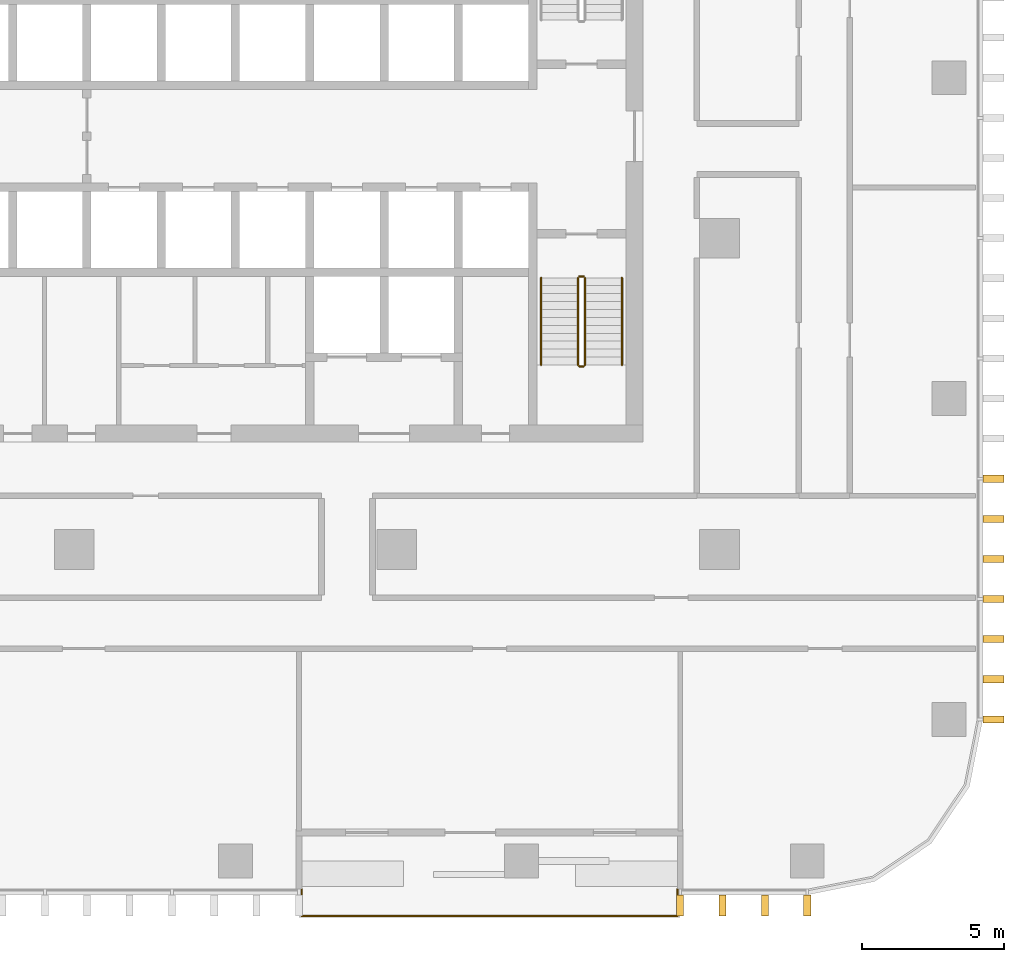
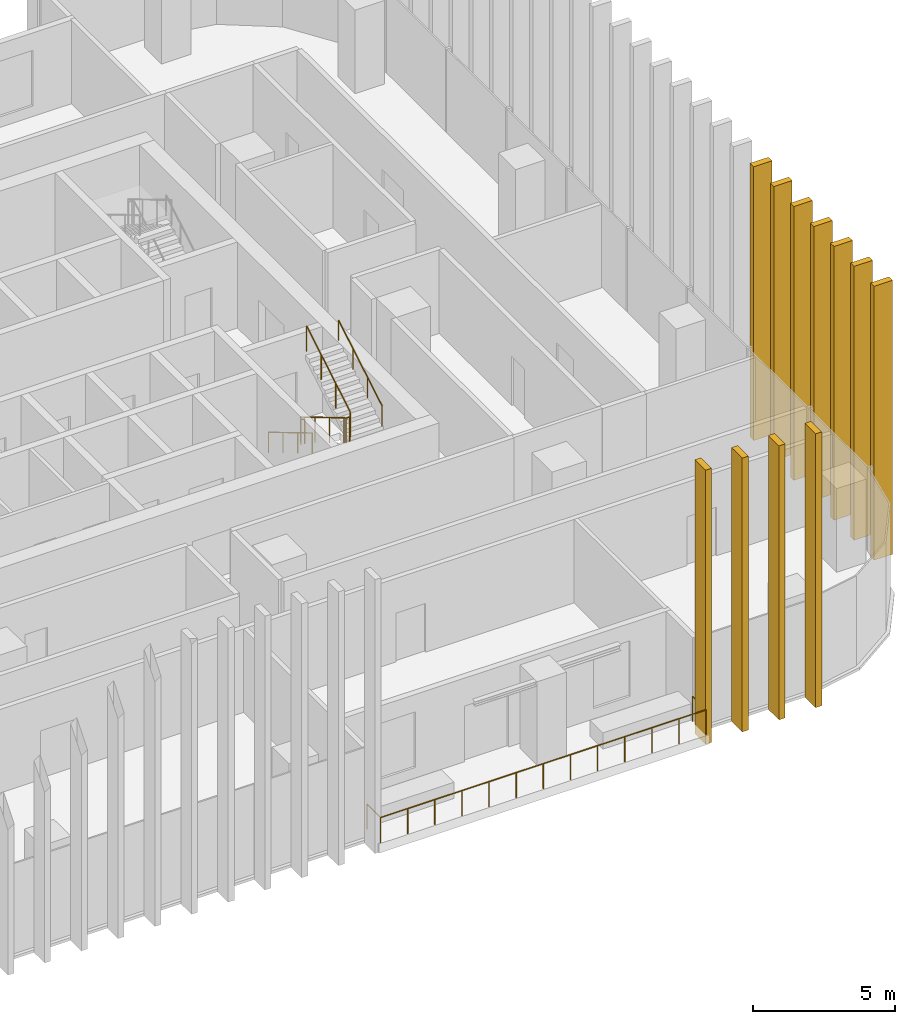
# One storey, part 14 of 16: 11 shading devices, 6 railings.
"""IFC4 building model written with IfcOpenShell, lengths in metres."""

from ifc_helpers import new_model, si_unit, direction, frame, origin, origin_2d, place, context, subcontext, project, spatial, rectangle, circle, extrude, material, type_object, element, save


model = new_model("IFC4")

# Units and contexts
model_context = context("Model", 3, precision=1e-05, world=origin(), true_north=direction((0.0, 1.0)))
body_context = subcontext(model_context, "Body", "Model", "MODEL_VIEW")
ifc_project = project(units=[si_unit("LENGTHUNIT", "METRE"), si_unit("AREAUNIT", "SQUARE_METRE"), si_unit("VOLUMEUNIT", "CUBIC_METRE"), si_unit("PLANEANGLEUNIT", "RADIAN"), si_unit("MASSUNIT", "GRAM", prefix="KILO")], contexts=[model_context])

# Site, building, storey
site_placement = place(None, origin())
site = spatial("IfcSite", under=ifc_project, at=site_placement, CompositionType="ELEMENT")
building_placement = place(site_placement, origin())
building = spatial("IfcBuilding", under=site, at=building_placement, Name="Mopane Tessera Tower", CompositionType="ELEMENT")
storey_placement = place(building_placement, frame((0.0, 0.0, 193.0)))
storey = spatial("IfcBuildingStorey", under=building, at=storey_placement, Name="L40", CompositionType="ELEMENT", Elevation=193.0)

# Shading devices
ifc_material_1 = material(Name="Glazed ceramic tile")
shading_device_type = type_object("IfcShadingDeviceType", Name="Ceramic tile fin 750 x 250 mm", PredefinedType="USERDEFINED", material=ifc_material_1)
for number, where, z_axis, x_axis, name in (
    (1, (15.711181640625, -23.574951171875, -0.39990234375), (0.0, 0.0, 1.0), (1.0, 0.0, 0.0), "e:fin:L40:S:8:0"),
    (2, (17.20751953125, -23.574951171875, -0.39990234375), (0.0, 0.0, 1.0), (1.0, 0.0, 0.0), "e:fin:L40:S:8:1"),
    (3, (18.70361328125, -23.574951171875, -0.39990234375), (0.0, 0.0, 1.0), (1.0, 0.0, 0.0), "e:fin:L40:S:8:2"),
    (4, (20.199951171875, -23.574951171875, -0.39990234375), (0.0, 0.0, 1.0), (1.0, 0.0, 0.0), "e:fin:L40:S:8:3"),
    (5, (26.77490234375, -17.0, -0.39990234375), (0.0, 0.0, 1.0), (0.0, 1.0, 0.0), "e:fin:L40:E:0:0"),
    (6, (26.77490234375, -15.583251953125, -0.39990234375), (0.0, 0.0, 1.0), (0.0, 1.0, 0.0), "e:fin:L40:E:0:1"),
    (7, (26.77490234375, -14.166748046875, -0.39990234375), (0.0, 0.0, 1.0), (0.0, 1.0, 0.0), "e:fin:L40:E:0:2"),
    (8, (26.77490234375, -12.75, -0.39990234375), (0.0, 0.0, 1.0), (0.0, 1.0, 0.0), "e:fin:L40:E:1:0"),
    (9, (26.77490234375, -11.333251953125, -0.39990234375), (0.0, 0.0, 1.0), (0.0, 1.0, 0.0), "e:fin:L40:E:1:1"),
    (10, (26.77490234375, -9.916748046875, -0.39990234375), (0.0, 0.0, 1.0), (0.0, 1.0, 0.0), "e:fin:L40:E:1:2"),
    (11, (26.77490234375, -8.5, -0.39990234375), (0.0, 0.0, 1.0), (0.0, 1.0, 0.0), "e:fin:L40:E:2:0"),
):
    element("IfcShadingDevice", number, at=place(storey_placement, frame(where, z_axis=z_axis, x_axis=x_axis)), inside=storey, type_object=shading_device_type, Name=name, ObjectType="FIN", PredefinedType="USERDEFINED", context=body_context, shape_type="SweptSolid", body=[
        extrude(rectangle(XDim=0.25, YDim=0.75, at=origin_2d()), origin(), (0.0, 0.0, 1.0), 11.800048828125),
    ])

# Railings
ifc_material_2 = material(Name="Powder-coated steel balustrade", Category="steel")
railing_type_1 = type_object("IfcRailingType", Name="Escape stair guard 1100 mm", PredefinedType="GUARDRAIL", material=ifc_material_2)
railing_1_placement = place(storey_placement, frame((12.10009765625, -1.39990234375, 0.166748046875)))
element("IfcRailing", 12, at=railing_1_placement, inside=storey, type_object=railing_type_1, Name="L40 ST3 stair guard 1", PredefinedType="GUARDRAIL", context=body_context, shape_type="SweptSolid", body=[
    extrude(circle(Radius=0.02392578125, at=origin_2d()), frame((0.0, 0.0, 1.076171875), z_axis=(0.0, -0.859308565015, 0.511457515432), x_axis=(1.0, 0.0, 0.0)), (0.0, 0.0, 1.0), 3.58447265625),
    extrude(circle(Radius=0.02392578125, at=origin_2d()), frame((0.0, -3.080078125, 2.9091796875), z_axis=(0.705375805398, -0.708833529934, 0.0), x_axis=(0.708833529934, 0.705375805398, 0.0)), (0.0, 0.0, 1.0), 0.070556640625),
    extrude(circle(Radius=0.02392578125, at=origin_2d()), frame((0.0498046875, -3.130126953125, 2.9091796875), z_axis=(1.0, 0.0, 0.0), x_axis=(0.0, 1.0, 0.0)), (0.0, 0.0, 1.0), 0.150146484375),
    extrude(circle(Radius=0.02099609375, at=origin_2d()), origin(), (0.0, 0.0, 1.0), 1.052001953125),
    extrude(circle(Radius=0.02099609375, at=origin_2d()), frame((0.0, -1.026611328125, 0.611083984375)), (0.0, 0.0, 1.0), 1.052001953125),
    extrude(circle(Radius=0.02099609375, at=origin_2d()), frame((0.0, -2.053466796875, 1.22216796875)), (0.0, 0.0, 1.0), 1.052001953125),
    extrude(circle(Radius=0.02099609375, at=origin_2d()), frame((0.0, -3.080078125, 1.833251953125)), (0.0, 0.0, 1.0), 1.052001953125),
    extrude(circle(Radius=0.02099609375, at=origin_2d()), frame((0.0498046875, -3.130126953125, 1.833251953125)), (0.0, 0.0, 1.0), 1.052001953125),
    extrude(circle(Radius=0.02099609375, at=origin_2d()), frame((0.199951171875, -3.130126953125, 1.833251953125)), (0.0, 0.0, 1.0), 1.052001953125),
])
railing_2_placement = place(storey_placement, frame((12.35009765625, -4.47998046875, 2.166748046875)))
element("IfcRailing", 13, at=railing_2_placement, inside=storey, type_object=railing_type_1, Name="L40 ST3 stair guard 2", PredefinedType="GUARDRAIL", context=body_context, shape_type="SweptSolid", body=[
    extrude(circle(Radius=0.02392578125, at=origin_2d()), frame((0.0, 0.0, 1.076171875), z_axis=(0.0, 0.859308565015, 0.511457515432), x_axis=(-1.0, 0.0, 0.0)), (0.0, 0.0, 1.0), 3.58447265625),
    extrude(circle(Radius=0.02099609375, at=origin_2d()), origin(), (0.0, 0.0, 1.0), 1.052001953125),
    extrude(circle(Radius=0.02099609375, at=origin_2d()), frame((0.0, 1.026611328125, 0.611083984375)), (0.0, 0.0, 1.0), 1.052001953125),
    extrude(circle(Radius=0.02099609375, at=origin_2d()), frame((0.0, 2.053466796875, 1.22216796875)), (0.0, 0.0, 1.0), 1.052001953125),
    extrude(circle(Radius=0.02099609375, at=origin_2d()), frame((0.0, 3.080078125, 1.833251953125)), (0.0, 0.0, 1.0), 1.052001953125),
])
railing_3_placement = place(storey_placement, frame((12.14990234375, -1.35009765625, 0.0)))
element("IfcRailing", 14, at=railing_3_placement, inside=storey, type_object=railing_type_1, Name="L40 ST3 stair guard 3", PredefinedType="GUARDRAIL", context=body_context, shape_type="SweptSolid", body=[
    extrude(circle(Radius=0.02392578125, at=origin_2d()), frame((0.0, 0.0, 1.076171875), z_axis=(1.0, 0.0, 0.0), x_axis=(0.0, 1.0, 0.0)), (0.0, 0.0, 1.0), 0.150146484375),
    extrude(circle(Radius=0.02099609375, at=origin_2d()), origin(), (0.0, 0.0, 1.0), 1.052001953125),
    extrude(circle(Radius=0.02099609375, at=origin_2d()), frame((0.150146484375, 0.0, 0.0)), (0.0, 0.0, 1.0), 1.052001953125),
])
ifc_material_3 = material(Name="Powder-coated steel balustrade", Category="steel")
railing_type_2 = type_object("IfcRailingType", Name="Escape stair handrail 900 mm", PredefinedType="HANDRAIL", material=ifc_material_3)
railing_4_placement = place(storey_placement, frame((10.800048828125, -1.39990234375, 0.166748046875)))
element("IfcRailing", 15, at=railing_4_placement, inside=storey, type_object=railing_type_2, Name="L40 ST3 stair handrail 1", PredefinedType="HANDRAIL", context=body_context, shape_type="SweptSolid", body=[
    extrude(circle(Radius=0.02392578125, at=origin_2d()), frame((0.0, 0.0, 0.8759765625), z_axis=(0.0, -0.859308565015, 0.511457515432), x_axis=(1.0, 0.0, 0.0)), (0.0, 0.0, 1.0), 3.58447265625),
    extrude(circle(Radius=0.02099609375, at=origin_2d()), origin(), (0.0, 0.0, 1.0), 0.851806640625),
    extrude(circle(Radius=0.02099609375, at=origin_2d()), frame((0.0, -1.026611328125, 0.611083984375)), (0.0, 0.0, 1.0), 0.851806640625),
    extrude(circle(Radius=0.02099609375, at=origin_2d()), frame((0.0, -2.053466796875, 1.22216796875)), (0.0, 0.0, 1.0), 0.851806640625),
    extrude(circle(Radius=0.02099609375, at=origin_2d()), frame((0.0, -3.080078125, 1.833251953125)), (0.0, 0.0, 1.0), 0.851806640625),
])
railing_5_placement = place(storey_placement, frame((13.64990234375, -4.47998046875, 2.166748046875)))
element("IfcRailing", 16, at=railing_5_placement, inside=storey, type_object=railing_type_2, Name="L40 ST3 stair handrail 2", PredefinedType="HANDRAIL", context=body_context, shape_type="SweptSolid", body=[
    extrude(circle(Radius=0.02392578125, at=origin_2d()), frame((0.0, 0.0, 0.8759765625), z_axis=(0.0, 0.859308565015, 0.511457515432), x_axis=(-1.0, 0.0, 0.0)), (0.0, 0.0, 1.0), 3.58447265625),
    extrude(circle(Radius=0.02099609375, at=origin_2d()), origin(), (0.0, 0.0, 1.0), 0.851806640625),
    extrude(circle(Radius=0.02099609375, at=origin_2d()), frame((0.0, 1.026611328125, 0.611083984375)), (0.0, 0.0, 1.0), 0.851806640625),
    extrude(circle(Radius=0.02099609375, at=origin_2d()), frame((0.0, 2.053466796875, 1.22216796875)), (0.0, 0.0, 1.0), 0.851806640625),
    extrude(circle(Radius=0.02099609375, at=origin_2d()), frame((0.0, 3.080078125, 1.833251953125)), (0.0, 0.0, 1.0), 0.851806640625),
])
ifc_material_4 = material(Name="Stainless steel S316", Category="steel")
railing_type_3 = type_object("IfcRailingType", Name="Terrace guard 1100", PredefinedType="GUARDRAIL", material=ifc_material_4)
railing_6_placement = place(storey_placement, frame((2.344482421875, -23.0, 0.0)))
element("IfcRailing", 17, at=railing_6_placement, inside=storey, type_object=railing_type_3, Name="e:nw:L40:N2:guard", PredefinedType="GUARDRAIL", context=body_context, shape_type="SweptSolid", body=[
    extrude(circle(Radius=0.02392578125, at=origin_2d()), frame((0.0, 0.0, 1.076171875), z_axis=(0.0, -1.0, 0.0), x_axis=(1.0, 0.0, 0.0)), (0.0, 0.0, 1.0), 0.949951171875),
    extrude(circle(Radius=0.02392578125, at=origin_2d()), frame((0.0, -0.949951171875, 1.076171875), z_axis=(1.0, 0.0, 0.0), x_axis=(0.0, 1.0, 0.0)), (0.0, 0.0, 1.0), 13.2666015625),
    extrude(circle(Radius=0.02392578125, at=origin_2d()), frame((13.2666015625, -0.949951171875, 1.076171875), z_axis=(0.0, 1.0, 0.0), x_axis=(-1.0, 0.0, 0.0)), (0.0, 0.0, 1.0), 0.949951171875),
    extrude(circle(Radius=0.02099609375, at=origin_2d()), origin(), (0.0, 0.0, 1.0), 1.052001953125),
    extrude(circle(Radius=0.02099609375, at=origin_2d()), frame((0.0, -0.949951171875, 0.0)), (0.0, 0.0, 1.0), 1.052001953125),
    extrude(circle(Radius=0.02099609375, at=origin_2d()), frame((1.10546875, -0.949951171875, 0.0)), (0.0, 0.0, 1.0), 1.052001953125),
    extrude(circle(Radius=0.02099609375, at=origin_2d()), frame((2.211181640625, -0.949951171875, 0.0)), (0.0, 0.0, 1.0), 1.052001953125),
    extrude(circle(Radius=0.02099609375, at=origin_2d()), frame((3.316650390625, -0.949951171875, 0.0)), (0.0, 0.0, 1.0), 1.052001953125),
    extrude(circle(Radius=0.02099609375, at=origin_2d()), frame((4.422119140625, -0.949951171875, 0.0)), (0.0, 0.0, 1.0), 1.052001953125),
    extrude(circle(Radius=0.02099609375, at=origin_2d()), frame((5.52783203125, -0.949951171875, 0.0)), (0.0, 0.0, 1.0), 1.052001953125),
    extrude(circle(Radius=0.02099609375, at=origin_2d()), frame((6.63330078125, -0.949951171875, 0.0)), (0.0, 0.0, 1.0), 1.052001953125),
    extrude(circle(Radius=0.02099609375, at=origin_2d()), frame((7.73876953125, -0.949951171875, 0.0)), (0.0, 0.0, 1.0), 1.052001953125),
    extrude(circle(Radius=0.02099609375, at=origin_2d()), frame((8.844482421875, -0.949951171875, 0.0)), (0.0, 0.0, 1.0), 1.052001953125),
    extrude(circle(Radius=0.02099609375, at=origin_2d()), frame((9.949951171875, -0.949951171875, 0.0)), (0.0, 0.0, 1.0), 1.052001953125),
    extrude(circle(Radius=0.02099609375, at=origin_2d()), frame((11.055419921875, -0.949951171875, 0.0)), (0.0, 0.0, 1.0), 1.052001953125),
    extrude(circle(Radius=0.02099609375, at=origin_2d()), frame((12.1611328125, -0.949951171875, 0.0)), (0.0, 0.0, 1.0), 1.052001953125),
    extrude(circle(Radius=0.02099609375, at=origin_2d()), frame((13.2666015625, -0.949951171875, 0.0)), (0.0, 0.0, 1.0), 1.052001953125),
    extrude(circle(Radius=0.02099609375, at=origin_2d()), frame((13.2666015625, 0.0, 0.0)), (0.0, 0.0, 1.0), 1.052001953125),
])

save(model, "model.ifc")
